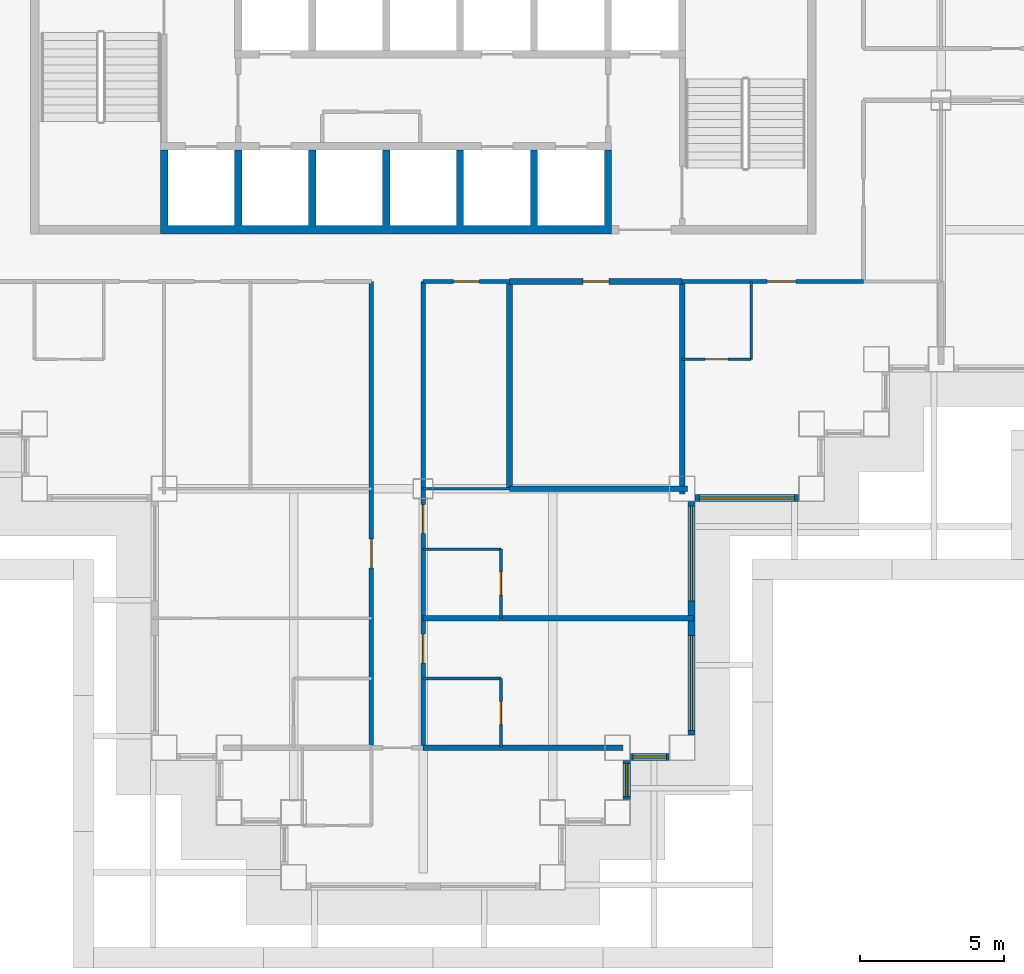
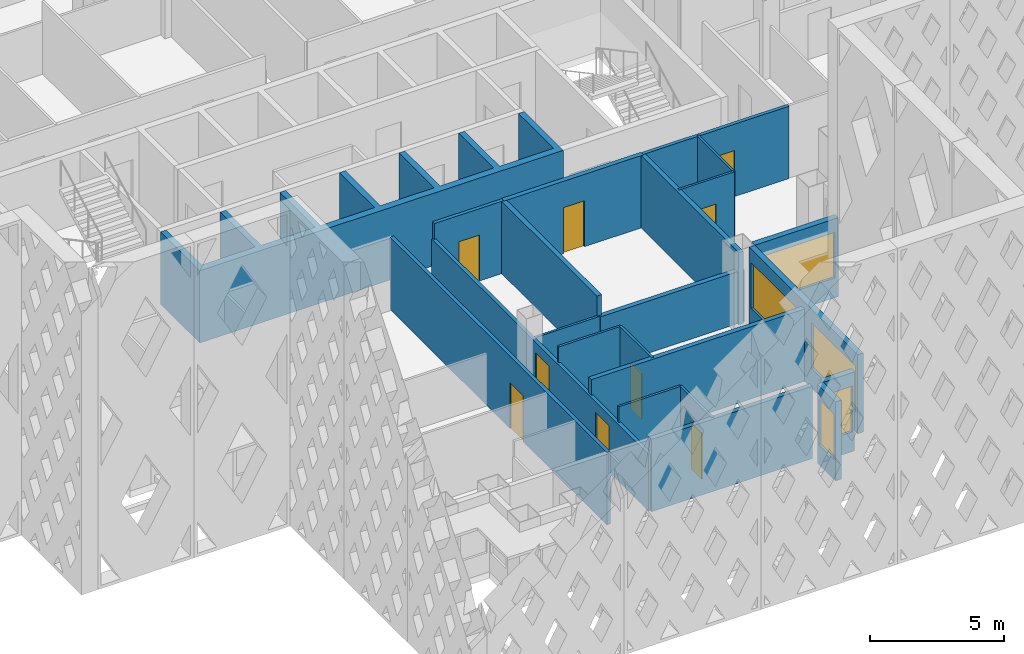
# One storey, part 4 of 21: 22 walls, 9 doors, 5 windows, 14 openings.
"""IFC4 building model written with IfcOpenShell, lengths in metres."""

from ifc_helpers import new_model, si_unit, direction, frame, frame_2d, origin, place, context, subcontext, project, spatial, polyline, rectangle, outline, extrude, material, layer, layer_set, type_object, element, fill, save


model = new_model("IFC4")

# Units and contexts
model_context = context("Model", 3, precision=1e-05, world=origin(), true_north=direction((0.0, 1.0)))
body_context = subcontext(model_context, "Body", "Model", "MODEL_VIEW")
ifc_project = project(units=[si_unit("LENGTHUNIT", "METRE"), si_unit("AREAUNIT", "SQUARE_METRE"), si_unit("VOLUMEUNIT", "CUBIC_METRE"), si_unit("PLANEANGLEUNIT", "RADIAN"), si_unit("MASSUNIT", "GRAM", prefix="KILO")], contexts=[model_context])

# Site, building, storey
site_placement = place(None, origin())
site = spatial("IfcSite", under=ifc_project, at=site_placement, CompositionType="ELEMENT")
building_placement = place(site_placement, origin())
building = spatial("IfcBuilding", under=site, at=building_placement, Name="Caravel Reach Hotel and Residences", CompositionType="ELEMENT")
storey_placement = place(building_placement, frame((0.0, 0.0, 100.800048828125)))
storey = spatial("IfcBuildingStorey", under=building, at=storey_placement, Name="L24", CompositionType="ELEMENT", Elevation=100.800048828125)

# Wall
ifc_material_1 = material(Name="Gypsum board on steel stud", Category="steel")
ifc_layer_1 = layer(ifc_material_1, 0.10009765625)
ifc_layer_set_1 = layer_set([ifc_layer_1], Name="Bathroom pod wall 100 mm")
wall_type_1 = type_object("IfcWallType", Name="Bathroom pod wall 100 mm", PredefinedType="PARTITIONING", material=ifc_layer_set_1)
wall_1_placement = place(storey_placement, frame((31.5, 11.39990234375, 0.0), z_axis=(0.0, 0.0, 1.0), x_axis=(1.0, 0.0, 0.0)))
element("IfcWall", 1, at=wall_1_placement, inside=storey, type_object=wall_type_1, Name="L24 wall w082", PredefinedType="PARTITIONING", context=body_context, shape_type="SweptSolid", body=[
    extrude(rectangle(XDim=2.699951171875, YDim=0.10009765625, at=frame_2d((1.35009765625, 0.0))), origin(), (0.0, 0.0, 1.0), 3.300048828125),
])

# Wall, opening, door
wall_2_placement = place(storey_placement, frame((40.5, 18.0, 0.0), z_axis=(0.0, 0.0, 1.0), x_axis=(1.0, 0.0, 0.0)))
wall_2 = element("IfcWall", 2, at=wall_2_placement, inside=storey, type_object=wall_type_1, Name="L24 wall w084", PredefinedType="PARTITIONING", context=body_context, shape_type="SweptSolid", body=[
    extrude(rectangle(XDim=2.39990234375, YDim=0.10009765625, at=frame_2d((1.199951171875, 0.0))), origin(), (0.0, 0.0, 1.0), 3.300048828125),
])
opening_1_placement = place(wall_2_placement, frame((0.800048828125, 0.0, 0.0)))
opening_1 = element("IfcOpeningElement", 3, at=opening_1_placement, cuts=wall_2, Name="Opening D24-052", PredefinedType="OPENING", context=body_context, shape_type="SweptSolid", body=[
    extrude(rectangle(XDim=0.800048828125, YDim=2.10009765625, at=frame_2d((0.39990234375, 1.050048828125))), frame((0.0, 0.06005859375, 0.0), z_axis=(0.0, -1.0, 0.0), x_axis=(1.0, 0.0, 0.0)), (0.0, 0.0, 1.0), 0.1201171875),
])
ifc_material_2 = material(Name="Timber and steel door leaf", Category="steel")
door_type_1 = type_object("IfcDoorType", Name="Bathroom door 800 x 2100", OperationType="SINGLE_SWING_LEFT", PredefinedType="DOOR", material=ifc_material_2)
door_1_placement = place(opening_1_placement, origin())
door_1 = element("IfcDoor", 4, at=door_1_placement, inside=storey, type_object=door_type_1, Name="door D24-052", OperationType="SINGLE_SWING_LEFT", OverallHeight=2.10009765625, OverallWidth=0.800048828125, PredefinedType="DOOR", context=body_context, shape_type="SweptSolid", body=[
    extrude(rectangle(XDim=0.800048828125, YDim=2.10009765625, at=frame_2d((0.39990234375, 1.050048828125))), frame((0.0, 0.02490234375, 0.0), z_axis=(0.0, -1.0, 0.0), x_axis=(1.0, 0.0, 0.0)), (0.0, 0.0, 1.0), 0.050048828125),
])
fill(opening_1, door_1)

# Wall
wall_3_placement = place(storey_placement, frame((31.5, 6.89990234375, 0.0), z_axis=(0.0, 0.0, 1.0), x_axis=(1.0, 0.0, 0.0)))
element("IfcWall", 5, at=wall_3_placement, inside=storey, type_object=wall_type_1, Name="L24 wall w096", PredefinedType="PARTITIONING", context=body_context, shape_type="SweptSolid", body=[
    extrude(rectangle(XDim=2.699951171875, YDim=0.10009765625, at=frame_2d((1.35009765625, 0.0))), origin(), (0.0, 0.0, 1.0), 3.300048828125),
])

# Wall, opening, door
wall_4_placement = place(storey_placement, frame((34.199951171875, 9.0, 0.0), z_axis=(0.0, 0.0, 1.0), x_axis=(0.0, 1.0, 0.0)))
wall_4 = element("IfcWall", 6, at=wall_4_placement, inside=storey, type_object=wall_type_1, Name="L24 wall w108", PredefinedType="PARTITIONING", context=body_context, shape_type="SweptSolid", body=[
    extrude(rectangle(XDim=2.39990234375, YDim=0.10009765625, at=frame_2d((1.199951171875, 0.0))), origin(), (0.0, 0.0, 1.0), 3.300048828125),
])
opening_2_placement = place(wall_4_placement, frame((0.800048828125, 0.0, 0.0)))
opening_2 = element("IfcOpeningElement", 7, at=opening_2_placement, cuts=wall_4, Name="Opening D24-036", PredefinedType="OPENING", context=body_context, shape_type="SweptSolid", body=[
    extrude(rectangle(XDim=0.800048828125, YDim=2.10009765625, at=frame_2d((0.39990234375, 1.050048828125))), frame((0.0, 0.06005859375, 0.0), z_axis=(0.0, -1.0, 0.0), x_axis=(1.0, 0.0, 0.0)), (0.0, 0.0, 1.0), 0.1201171875),
])
door_2_placement = place(opening_2_placement, origin())
door_2 = element("IfcDoor", 8, at=door_2_placement, inside=storey, type_object=door_type_1, Name="door D24-036", OperationType="SINGLE_SWING_RIGHT", OverallHeight=2.10009765625, OverallWidth=0.800048828125, PredefinedType="DOOR", context=body_context, shape_type="SweptSolid", body=[
    extrude(rectangle(XDim=0.800048828125, YDim=2.10009765625, at=frame_2d((0.39990234375, 1.050048828125))), frame((0.0, 0.02490234375, 0.0), z_axis=(0.0, -1.0, 0.0), x_axis=(1.0, 0.0, 0.0)), (0.0, 0.0, 1.0), 0.050048828125),
])
fill(opening_2, door_2)

wall_5_placement = place(storey_placement, frame((34.199951171875, 4.5, 0.0), z_axis=(0.0, 0.0, 1.0), x_axis=(0.0, 1.0, 0.0)))
wall_5 = element("IfcWall", 9, at=wall_5_placement, inside=storey, type_object=wall_type_1, Name="L24 wall w109", PredefinedType="PARTITIONING", context=body_context, shape_type="SweptSolid", body=[
    extrude(rectangle(XDim=2.39990234375, YDim=0.10009765625, at=frame_2d((1.199951171875, 0.0))), origin(), (0.0, 0.0, 1.0), 3.300048828125),
])
opening_3_placement = place(wall_5_placement, frame((0.800048828125, 0.0, 0.0)))
opening_3 = element("IfcOpeningElement", 10, at=opening_3_placement, cuts=wall_5, Name="Opening D24-038", PredefinedType="OPENING", context=body_context, shape_type="SweptSolid", body=[
    extrude(rectangle(XDim=0.800048828125, YDim=2.10009765625, at=frame_2d((0.39990234375, 1.050048828125))), frame((0.0, 0.06005859375, 0.0), z_axis=(0.0, -1.0, 0.0), x_axis=(1.0, 0.0, 0.0)), (0.0, 0.0, 1.0), 0.1201171875),
])
door_3_placement = place(opening_3_placement, origin())
door_3 = element("IfcDoor", 11, at=door_3_placement, inside=storey, type_object=door_type_1, Name="door D24-038", OperationType="SINGLE_SWING_LEFT", OverallHeight=2.10009765625, OverallWidth=0.800048828125, PredefinedType="DOOR", context=body_context, shape_type="SweptSolid", body=[
    extrude(rectangle(XDim=0.800048828125, YDim=2.10009765625, at=frame_2d((0.39990234375, 1.050048828125))), frame((0.0, 0.02490234375, 0.0), z_axis=(0.0, -1.0, 0.0), x_axis=(1.0, 0.0, 0.0)), (0.0, 0.0, 1.0), 0.050048828125),
])
fill(opening_3, door_3)

# Walls
wall_6_placement = place(storey_placement, frame((42.89990234375, 18.0, 0.0), z_axis=(0.0, 0.0, 1.0), x_axis=(0.0, 1.0, 0.0)))
element("IfcWall", 12, at=wall_6_placement, inside=storey, type_object=wall_type_1, Name="L24 wall w112", PredefinedType="PARTITIONING", context=body_context, shape_type="SweptSolid", body=[
    extrude(rectangle(XDim=2.699951171875, YDim=0.10009765625, at=frame_2d((1.35009765625, 0.0))), origin(), (0.0, 0.0, 1.0), 3.300048828125),
])
ifc_material_3 = material(Name="Autoclaved aerated block wall")
ifc_layer_2 = layer(ifc_material_3, 0.199951171875)
ifc_layer_set_2 = layer_set([ifc_layer_2], Name="Compartment wall 200 mm EI 120")
wall_type_2 = type_object("IfcWallType", Name="Compartment wall 200 mm EI 120", PredefinedType="PARTITIONING", material=ifc_layer_set_2)
wall_7_placement = place(storey_placement, frame((34.5, 13.5, 0.0), z_axis=(0.0, 0.0, 1.0), x_axis=(1.0, 0.0, 0.0)))
element("IfcWall", 13, at=wall_7_placement, inside=storey, type_object=wall_type_2, Name="L24 wall w117", PredefinedType="PARTITIONING", context=body_context, shape_type="SweptSolid", body=[
    extrude(rectangle(XDim=6.18994140625, YDim=0.199951171875, at=frame_2d((3.094970703125, 0.0))), origin(), (0.0, 0.0, 1.0), 2.3798828125),
])

# Wall, opening, door
wall_8_placement = place(storey_placement, frame((34.5, 20.699951171875, 0.0), z_axis=(0.0, 0.0, 1.0), x_axis=(1.0, 0.0, 0.0)))
wall_8 = element("IfcWall", 14, at=wall_8_placement, inside=storey, type_object=wall_type_2, Name="L24 wall w118", PredefinedType="PARTITIONING", context=body_context, shape_type="SweptSolid", body=[
    extrude(rectangle(XDim=6.0, YDim=0.199951171875, at=frame_2d((3.0, 0.0))), origin(), (0.0, 0.0, 1.0), 3.300048828125),
])
opening_4_placement = place(wall_8_placement, frame((2.550048828125, 0.0, 0.0)))
opening_4 = element("IfcOpeningElement", 15, at=opening_4_placement, cuts=wall_8, Name="Opening D24-060", PredefinedType="OPENING", context=body_context, shape_type="SweptSolid", body=[
    extrude(rectangle(XDim=0.89990234375, YDim=2.10009765625, at=frame_2d((0.449951171875, 1.050048828125))), frame((0.0, 0.10986328125, 0.0), z_axis=(0.0, -1.0, 0.0), x_axis=(1.0, 0.0, 0.0)), (0.0, 0.0, 1.0), 0.219970703125),
])
ifc_material_4 = material(Name="Steel fire door leaf", Category="steel")
door_type_2 = type_object("IfcDoorType", Name="Riser door 900 x 2100 EI 60", OperationType="SINGLE_SWING_LEFT", PredefinedType="DOOR", material=ifc_material_4)
door_4_placement = place(opening_4_placement, origin())
door_4 = element("IfcDoor", 16, at=door_4_placement, inside=storey, type_object=door_type_2, Name="door D24-060", OperationType="SINGLE_SWING_LEFT", OverallHeight=2.10009765625, OverallWidth=0.89990234375, PredefinedType="DOOR", context=body_context, shape_type="SweptSolid", body=[
    extrude(rectangle(XDim=0.89990234375, YDim=2.10009765625, at=frame_2d((0.449951171875, 1.050048828125))), frame((0.0, 0.02490234375, 0.0), z_axis=(0.0, -1.0, 0.0), x_axis=(1.0, 0.0, 0.0)), (0.0, 0.0, 1.0), 0.050048828125),
])
fill(opening_4, door_4)

# Walls
wall_9_placement = place(storey_placement, frame((34.5, 13.5, 0.0), z_axis=(0.0, 0.0, 1.0), x_axis=(0.0, 1.0, 0.0)))
element("IfcWall", 17, at=wall_9_placement, inside=storey, type_object=wall_type_2, Name="L24 wall w119", PredefinedType="PARTITIONING", context=body_context, shape_type="SweptSolid", body=[
    extrude(rectangle(XDim=7.199951171875, YDim=0.199951171875, at=frame_2d((3.60009765625, 0.0))), origin(), (0.0, 0.0, 1.0), 3.300048828125),
])
wall_10_placement = place(storey_placement, frame((40.5, 13.31005859375, 0.0), z_axis=(0.0, 0.0, 1.0), x_axis=(0.0, 1.0, 0.0)))
element("IfcWall", 18, at=wall_10_placement, inside=storey, type_object=wall_type_2, Name="L24 wall w120", PredefinedType="PARTITIONING", context=body_context, shape_type="SweptSolid", body=[
    extrude(rectangle(XDim=7.389892578125, YDim=0.199951171875, at=frame_2d((3.69482421875, 0.0))), origin(), (0.0, 0.0, 1.0), 3.300048828125),
])

# Wall, opening, door
ifc_material_5 = material(Name="Gypsum board on steel stud, fire-rated", Category="steel")
ifc_layer_3 = layer(ifc_material_5, 0.14990234375)
ifc_layer_set_3 = layer_set([ifc_layer_3], Name="Corridor wall 150 mm EI 60")
wall_type_3 = type_object("IfcWallType", Name="Corridor wall 150 mm EI 60", PredefinedType="PARTITIONING", material=ifc_layer_set_3)
wall_11_placement = place(storey_placement, frame((40.5, 20.699951171875, 0.0), z_axis=(0.0, 0.0, 1.0), x_axis=(1.0, 0.0, 0.0)))
wall_11 = element("IfcWall", 19, at=wall_11_placement, inside=storey, type_object=wall_type_3, Name="L24 wall w002", PredefinedType="PARTITIONING", context=body_context, shape_type="SweptSolid", body=[
    extrude(rectangle(XDim=6.300048828125, YDim=0.14990234375, at=frame_2d((3.14990234375, 0.0))), origin(), (0.0, 0.0, 1.0), 3.300048828125),
])
opening_5_placement = place(wall_11_placement, frame((2.949951171875, 0.0, 0.0)))
opening_5 = element("IfcOpeningElement", 20, at=opening_5_placement, cuts=wall_11, Name="Opening D24-051", PredefinedType="OPENING", context=body_context, shape_type="SweptSolid", body=[
    extrude(rectangle(XDim=1.0, YDim=2.10009765625, at=frame_2d((0.5, 1.050048828125))), frame((0.0, 0.0849609375, 0.0), z_axis=(0.0, -1.0, 0.0), x_axis=(1.0, 0.0, 0.0)), (0.0, 0.0, 1.0), 0.169921875),
])
ifc_material_6 = material(Name="Steel fire door leaf", Category="steel")
door_type_3 = type_object("IfcDoorType", Name="Guest room door 1000 x 2100 EI 30", OperationType="SINGLE_SWING_LEFT", PredefinedType="DOOR", material=ifc_material_6)
door_5_placement = place(opening_5_placement, origin())
door_5 = element("IfcDoor", 21, at=door_5_placement, inside=storey, type_object=door_type_3, Name="door D24-051", OperationType="SINGLE_SWING_RIGHT", OverallHeight=2.10009765625, OverallWidth=1.0, PredefinedType="DOOR", context=body_context, shape_type="SweptSolid", body=[
    extrude(rectangle(XDim=1.0, YDim=2.10009765625, at=frame_2d((0.5, 1.050048828125))), frame((0.0, 0.02490234375, 0.0), z_axis=(0.0, -1.0, 0.0), x_axis=(1.0, 0.0, 0.0)), (0.0, 0.0, 1.0), 0.050048828125),
])
fill(opening_5, door_5)

wall_12_placement = place(storey_placement, frame((31.5, 20.699951171875, 0.0), z_axis=(0.0, 0.0, 1.0), x_axis=(1.0, 0.0, 0.0)))
wall_12 = element("IfcWall", 22, at=wall_12_placement, inside=storey, type_object=wall_type_3, Name="L24 wall w005", PredefinedType="PARTITIONING", context=body_context, shape_type="SweptSolid", body=[
    extrude(rectangle(XDim=3.0, YDim=0.14990234375, at=frame_2d((1.5, 0.0))), origin(), (0.0, 0.0, 1.0), 3.300048828125),
])
opening_6_placement = place(wall_12_placement, frame((1.050048828125, 0.0, 0.0)))
opening_6 = element("IfcOpeningElement", 23, at=opening_6_placement, cuts=wall_12, Name="Opening D24-059", PredefinedType="OPENING", context=body_context, shape_type="SweptSolid", body=[
    extrude(rectangle(XDim=0.89990234375, YDim=2.10009765625, at=frame_2d((0.449951171875, 1.050048828125))), frame((0.0, 0.0849609375, 0.0), z_axis=(0.0, -1.0, 0.0), x_axis=(1.0, 0.0, 0.0)), (0.0, 0.0, 1.0), 0.169921875),
])
ifc_material_7 = material(Name="Timber and steel door leaf", Category="steel")
door_type_4 = type_object("IfcDoorType", Name="Door 900 x 2100 timber", OperationType="SINGLE_SWING_LEFT", PredefinedType="DOOR", material=ifc_material_7)
door_6_placement = place(opening_6_placement, origin())
door_6 = element("IfcDoor", 24, at=door_6_placement, inside=storey, type_object=door_type_4, Name="door D24-059", OperationType="SINGLE_SWING_LEFT", OverallHeight=2.10009765625, OverallWidth=0.89990234375, PredefinedType="DOOR", context=body_context, shape_type="SweptSolid", body=[
    extrude(rectangle(XDim=0.89990234375, YDim=2.10009765625, at=frame_2d((0.449951171875, 1.050048828125))), frame((0.0, 0.02490234375, 0.0), z_axis=(0.0, -1.0, 0.0), x_axis=(1.0, 0.0, 0.0)), (0.0, 0.0, 1.0), 0.050048828125),
])
fill(opening_6, door_6)

wall_13_placement = place(storey_placement, frame((29.699951171875, 4.5, 0.0), z_axis=(0.0, 0.0, 1.0), x_axis=(0.0, 1.0, 0.0)))
wall_13 = element("IfcWall", 25, at=wall_13_placement, inside=storey, type_object=wall_type_3, Name="L24 wall w029", PredefinedType="PARTITIONING", context=body_context, shape_type="SweptSolid", body=[
    extrude(rectangle(XDim=16.199951171875, YDim=0.14990234375, at=frame_2d((8.10009765625, 0.0))), origin(), (0.0, 0.0, 1.0), 3.300048828125),
])
opening_7_placement = place(wall_13_placement, frame((6.25, 0.0, 0.0)))
opening_7 = element("IfcOpeningElement", 26, at=opening_7_placement, cuts=wall_13, Name="Opening D24-032", PredefinedType="OPENING", context=body_context, shape_type="SweptSolid", body=[
    extrude(rectangle(XDim=1.0, YDim=2.10009765625, at=frame_2d((0.5, 1.050048828125))), frame((0.0, 0.0849609375, 0.0), z_axis=(0.0, -1.0, 0.0), x_axis=(1.0, 0.0, 0.0)), (0.0, 0.0, 1.0), 0.169921875),
])
door_7_placement = place(opening_7_placement, origin())
door_7 = element("IfcDoor", 27, at=door_7_placement, inside=storey, type_object=door_type_3, Name="door D24-032", OperationType="SINGLE_SWING_RIGHT", OverallHeight=2.10009765625, OverallWidth=1.0, PredefinedType="DOOR", context=body_context, shape_type="SweptSolid", body=[
    extrude(rectangle(XDim=1.0, YDim=2.10009765625, at=frame_2d((0.5, 1.050048828125))), frame((0.0, 0.02490234375, 0.0), z_axis=(0.0, -1.0, 0.0), x_axis=(1.0, 0.0, 0.0)), (0.0, 0.0, 1.0), 0.050048828125),
])
fill(opening_7, door_7)

# Wall, openings, doors
wall_14_placement = place(storey_placement, frame((31.5, 4.5, 0.0), z_axis=(0.0, 0.0, 1.0), x_axis=(0.0, 1.0, 0.0)))
wall_14 = element("IfcWall", 28, at=wall_14_placement, inside=storey, type_object=wall_type_3, Name="L24 wall w033", PredefinedType="PARTITIONING", context=body_context, shape_type="SweptSolid", body=[
    extrude(rectangle(XDim=16.199951171875, YDim=0.14990234375, at=frame_2d((8.10009765625, 0.0))), origin(), (0.0, 0.0, 1.0), 2.579833984375),
])
opening_8_placement = place(wall_14_placement, frame((7.449951171875, 0.0, 0.0)))
opening_8 = element("IfcOpeningElement", 29, at=opening_8_placement, cuts=wall_14, Name="Opening D24-035", PredefinedType="OPENING", context=body_context, shape_type="SweptSolid", body=[
    extrude(rectangle(XDim=1.0, YDim=2.10009765625, at=frame_2d((0.5, 1.050048828125))), frame((0.0, 0.0849609375, 0.0), z_axis=(0.0, -1.0, 0.0), x_axis=(1.0, 0.0, 0.0)), (0.0, 0.0, 1.0), 0.169921875),
])
opening_9_placement = place(wall_14_placement, frame((2.949951171875, 0.0, 0.0)))
opening_9 = element("IfcOpeningElement", 30, at=opening_9_placement, cuts=wall_14, Name="Opening D24-037", PredefinedType="OPENING", context=body_context, shape_type="SweptSolid", body=[
    extrude(rectangle(XDim=1.0, YDim=2.10009765625, at=frame_2d((0.5, 1.050048828125))), frame((0.0, 0.0849609375, 0.0), z_axis=(0.0, -1.0, 0.0), x_axis=(1.0, 0.0, 0.0)), (0.0, 0.0, 1.0), 0.169921875),
])
door_8_placement = place(opening_8_placement, origin())
door_8 = element("IfcDoor", 31, at=door_8_placement, inside=storey, type_object=door_type_3, Name="door D24-035", OperationType="SINGLE_SWING_RIGHT", OverallHeight=2.10009765625, OverallWidth=1.0, PredefinedType="DOOR", context=body_context, shape_type="SweptSolid", body=[
    extrude(rectangle(XDim=1.0, YDim=2.10009765625, at=frame_2d((0.5, 1.050048828125))), frame((0.0, 0.02490234375, 0.0), z_axis=(0.0, -1.0, 0.0), x_axis=(1.0, 0.0, 0.0)), (0.0, 0.0, 1.0), 0.050048828125),
])
fill(opening_8, door_8)
door_9_placement = place(opening_9_placement, origin())
door_9 = element("IfcDoor", 32, at=door_9_placement, inside=storey, type_object=door_type_3, Name="door D24-037", OperationType="SINGLE_SWING_RIGHT", OverallHeight=2.10009765625, OverallWidth=1.0, PredefinedType="DOOR", context=body_context, shape_type="SweptSolid", body=[
    extrude(rectangle(XDim=1.0, YDim=2.10009765625, at=frame_2d((0.5, 1.050048828125))), frame((0.0, 0.02490234375, 0.0), z_axis=(0.0, -1.0, 0.0), x_axis=(1.0, 0.0, 0.0)), (0.0, 0.0, 1.0), 0.050048828125),
])
fill(opening_9, door_9)

# Wall, opening, window
ifc_material_8 = material(Name="Insulated rainscreen wall, aluminium cladding", Category="aluminium")
ifc_layer_4 = layer(ifc_material_8, 0.25)
ifc_layer_set_4 = layer_set([ifc_layer_4], Name="EW1 Tower rainscreen wall")
wall_type_4 = type_object("IfcWallType", Name="EW1 Tower rainscreen wall", PredefinedType="SOLIDWALL", material=ifc_layer_set_4)
wall_15_placement = place(storey_placement, frame((38.574951171875, 2.699951171875, 0.0), z_axis=(0.0, 0.0, 1.0), x_axis=(0.0, 1.0, 0.0)))
wall_15 = element("IfcWall", 33, at=wall_15_placement, inside=storey, type_object=wall_type_4, Name="External wall L24 E8.1", PredefinedType="SOLIDWALL", context=body_context, shape_type="SweptSolid", body=[
    extrude(rectangle(XDim=1.35009765625, YDim=0.25, at=frame_2d((0.675048828125, 0.0))), origin(), (0.0, 0.0, 1.0), 3.599853515625),
])
opening_10_placement = place(wall_15_placement, frame((0.10009765625, 0.0, 0.89990234375)))
opening_10 = element("IfcOpeningElement", 34, at=opening_10_placement, cuts=wall_15, Name="Opening WN8", PredefinedType="OPENING", context=body_context, shape_type="SweptSolid", body=[
    extrude(rectangle(XDim=1.14990234375, YDim=2.080078125, at=frame_2d((0.574951171875, 1.0400390625))), frame((0.0, 0.135009765625, 0.0), z_axis=(0.0, -1.0, 0.0), x_axis=(1.0, 0.0, 0.0)), (0.0, 0.0, 1.0), 0.27001953125),
])
ifc_material_9 = material(Name="Dark low-e glazing in black aluminium frame", Category="aluminium")
window_type_1 = type_object("IfcWindowType", Name="Hotel suite corner window 1150 x 2080", PartitioningType="SINGLE_PANEL", PredefinedType="WINDOW", material=ifc_material_9)
window_1_placement = place(opening_10_placement, origin())
window_1 = element("IfcWindow", 35, at=window_1_placement, inside=storey, type_object=window_type_1, Name="Window L24 E8.1.1", OverallHeight=2.080078125, OverallWidth=1.14990234375, PartitioningType="SINGLE_PANEL", PredefinedType="WINDOW", context=body_context, shape_type="SweptSolid", body=[
    extrude(rectangle(XDim=1.14990234375, YDim=2.080078125, at=frame_2d((0.574951171875, 1.0400390625))), frame((0.0, 0.030029296875, 0.0), z_axis=(0.0, -1.0, 0.0), x_axis=(1.0, 0.0, 0.0)), (0.0, 0.0, 1.0), 0.06005859375),
])
fill(opening_10, window_1)

wall_16_placement = place(storey_placement, frame((38.699951171875, 4.175048828125, 0.0), z_axis=(0.0, 0.0, 1.0), x_axis=(1.0, 0.0, 0.0)))
wall_16 = element("IfcWall", 36, at=wall_16_placement, inside=storey, type_object=wall_type_4, Name="External wall L24 S9.1", PredefinedType="SOLIDWALL", context=body_context, shape_type="SweptSolid", body=[
    extrude(rectangle(XDim=1.35009765625, YDim=0.25, at=frame_2d((0.675048828125, 0.0))), origin(), (0.0, 0.0, 1.0), 3.599853515625),
])
opening_11_placement = place(wall_16_placement, frame((0.10009765625, 0.0, 0.89990234375)))
opening_11 = element("IfcOpeningElement", 37, at=opening_11_placement, cuts=wall_16, Name="Opening WN8", PredefinedType="OPENING", context=body_context, shape_type="SweptSolid", body=[
    extrude(rectangle(XDim=1.14990234375, YDim=2.080078125, at=frame_2d((0.574951171875, 1.0400390625))), frame((0.0, 0.135009765625, 0.0), z_axis=(0.0, -1.0, 0.0), x_axis=(1.0, 0.0, 0.0)), (0.0, 0.0, 1.0), 0.27001953125),
])
window_2_placement = place(opening_11_placement, origin())
window_2 = element("IfcWindow", 38, at=window_2_placement, inside=storey, type_object=window_type_1, Name="Window L24 S9.1.1", OverallHeight=2.080078125, OverallWidth=1.14990234375, PartitioningType="SINGLE_PANEL", PredefinedType="WINDOW", context=body_context, shape_type="SweptSolid", body=[
    extrude(rectangle(XDim=1.14990234375, YDim=2.080078125, at=frame_2d((0.574951171875, 1.0400390625))), frame((0.0, 0.030029296875, 0.0), z_axis=(0.0, -1.0, 0.0), x_axis=(1.0, 0.0, 0.0)), (0.0, 0.0, 1.0), 0.06005859375),
])
fill(opening_11, window_2)

# Wall, openings, windows
wall_17_placement = place(storey_placement, frame((40.824951171875, 4.949951171875, 0.0), z_axis=(0.0, 0.0, 1.0), x_axis=(0.0, 1.0, 0.0)))
wall_17 = element("IfcWall", 39, at=wall_17_placement, inside=storey, type_object=wall_type_4, Name="External wall L24 E10.1", PredefinedType="SOLIDWALL", context=body_context, shape_type="SweptSolid", body=[
    extrude(rectangle(XDim=8.10009765625, YDim=0.25, at=frame_2d((4.050048828125, 0.0))), origin(), (0.0, 0.0, 1.0), 3.599853515625),
])
opening_12_placement = place(wall_17_placement, frame((0.14990234375, 0.0, 0.89990234375)))
opening_12 = element("IfcOpeningElement", 40, at=opening_12_placement, cuts=wall_17, Name="Opening WN4", PredefinedType="OPENING", context=body_context, shape_type="SweptSolid", body=[
    extrude(rectangle(XDim=3.300048828125, YDim=2.080078125, at=frame_2d((1.64990234375, 1.0400390625))), frame((0.0, 0.135009765625, 0.0), z_axis=(0.0, -1.0, 0.0), x_axis=(1.0, 0.0, 0.0)), (0.0, 0.0, 1.0), 0.27001953125),
])
opening_13_placement = place(wall_17_placement, frame((4.64990234375, 0.0, 0.89990234375)))
opening_13 = element("IfcOpeningElement", 41, at=opening_13_placement, cuts=wall_17, Name="Opening WN4", PredefinedType="OPENING", context=body_context, shape_type="SweptSolid", body=[
    extrude(rectangle(XDim=3.300048828125, YDim=2.080078125, at=frame_2d((1.64990234375, 1.0400390625))), frame((0.0, 0.135009765625, 0.0), z_axis=(0.0, -1.0, 0.0), x_axis=(1.0, 0.0, 0.0)), (0.0, 0.0, 1.0), 0.27001953125),
])
ifc_material_10 = material(Name="Dark low-e glazing in black aluminium frame", Category="aluminium")
window_type_2 = type_object("IfcWindowType", Name="Hotel guest room window 3300 x 2080", PartitioningType="SINGLE_PANEL", PredefinedType="WINDOW", material=ifc_material_10)
window_3_placement = place(opening_12_placement, origin())
window_3 = element("IfcWindow", 42, at=window_3_placement, inside=storey, type_object=window_type_2, Name="Window L24 E10.1.1", OverallHeight=2.080078125, OverallWidth=3.300048828125, PartitioningType="SINGLE_PANEL", PredefinedType="WINDOW", context=body_context, shape_type="SweptSolid", body=[
    extrude(rectangle(XDim=3.300048828125, YDim=2.080078125, at=frame_2d((1.64990234375, 1.0400390625))), frame((0.0, 0.030029296875, 0.0), z_axis=(0.0, -1.0, 0.0), x_axis=(1.0, 0.0, 0.0)), (0.0, 0.0, 1.0), 0.06005859375),
])
fill(opening_12, window_3)
window_4_placement = place(opening_13_placement, origin())
window_4 = element("IfcWindow", 43, at=window_4_placement, inside=storey, type_object=window_type_2, Name="Window L24 E10.1.2", OverallHeight=2.080078125, OverallWidth=3.300048828125, PartitioningType="SINGLE_PANEL", PredefinedType="WINDOW", context=body_context, shape_type="SweptSolid", body=[
    extrude(rectangle(XDim=3.300048828125, YDim=2.080078125, at=frame_2d((1.64990234375, 1.0400390625))), frame((0.0, 0.030029296875, 0.0), z_axis=(0.0, -1.0, 0.0), x_axis=(1.0, 0.0, 0.0)), (0.0, 0.0, 1.0), 0.06005859375),
])
fill(opening_13, window_4)

# Wall, opening, window
wall_18_placement = place(storey_placement, frame((40.949951171875, 13.175048828125, 0.0), z_axis=(0.0, 0.0, 1.0), x_axis=(1.0, 0.0, 0.0)))
wall_18 = element("IfcWall", 44, at=wall_18_placement, inside=storey, type_object=wall_type_4, Name="External wall L24 S11.1", PredefinedType="SOLIDWALL", context=body_context, shape_type="SweptSolid", body=[
    extrude(rectangle(XDim=3.60009765625, YDim=0.25, at=frame_2d((1.800048828125, 0.0))), origin(), (0.0, 0.0, 1.0), 3.599853515625),
])
opening_14_placement = place(wall_18_placement, frame((0.14990234375, 0.0, 0.89990234375)))
opening_14 = element("IfcOpeningElement", 45, at=opening_14_placement, cuts=wall_18, Name="Opening WN4", PredefinedType="OPENING", context=body_context, shape_type="SweptSolid", body=[
    extrude(rectangle(XDim=3.300048828125, YDim=2.080078125, at=frame_2d((1.64990234375, 1.0400390625))), frame((0.0, 0.135009765625, 0.0), z_axis=(0.0, -1.0, 0.0), x_axis=(1.0, 0.0, 0.0)), (0.0, 0.0, 1.0), 0.27001953125),
])
window_5_placement = place(opening_14_placement, origin())
window_5 = element("IfcWindow", 46, at=window_5_placement, inside=storey, type_object=window_type_2, Name="Window L24 S11.1.1", OverallHeight=2.080078125, OverallWidth=3.300048828125, PartitioningType="SINGLE_PANEL", PredefinedType="WINDOW", context=body_context, shape_type="SweptSolid", body=[
    extrude(rectangle(XDim=3.300048828125, YDim=2.080078125, at=frame_2d((1.64990234375, 1.0400390625))), frame((0.0, 0.030029296875, 0.0), z_axis=(0.0, -1.0, 0.0), x_axis=(1.0, 0.0, 0.0)), (0.0, 0.0, 1.0), 0.06005859375),
])
fill(opening_14, window_5)

# Walls
ifc_material_11 = material(Name="Gypsum board on steel stud", Category="steel")
ifc_layer_5 = layer(ifc_material_11, 0.10009765625)
ifc_layer_set_5 = layer_set([ifc_layer_5], Name="Partition 100 mm")
wall_type_5 = type_object("IfcWallType", Name="Partition 100 mm", PredefinedType="PARTITIONING", material=ifc_layer_set_5)
wall_19_placement = place(storey_placement, frame((31.5, 13.5, 0.0), z_axis=(0.0, 0.0, 1.0), x_axis=(1.0, 0.0, 0.0)))
element("IfcWall", 47, at=wall_19_placement, inside=storey, type_object=wall_type_5, Name="L24 wall w042", PredefinedType="PARTITIONING", context=body_context, shape_type="SweptSolid", body=[
    extrude(rectangle(XDim=3.0, YDim=0.10009765625, at=frame_2d((1.5, 0.0))), origin(), (0.0, 0.0, 1.0), 2.3798828125),
])
ifc_material_12 = material(Name="Autoclaved aerated block wall")
ifc_layer_6 = layer(ifc_material_12, 0.199951171875)
ifc_layer_set_6 = layer_set([ifc_layer_6], Name="Party wall 200 mm EI 60")
wall_type_6 = type_object("IfcWallType", Name="Party wall 200 mm EI 60", PredefinedType="PARTITIONING", material=ifc_layer_set_6)
wall_20_placement = place(storey_placement, frame((31.5, 4.5, 0.0), z_axis=(0.0, 0.0, 1.0), x_axis=(1.0, 0.0, 0.0)))
element("IfcWall", 48, at=wall_20_placement, inside=storey, type_object=wall_type_6, Name="L24 wall w071", PredefinedType="PARTITIONING", context=body_context, shape_type="SweptSolid", body=[
    extrude(rectangle(XDim=6.93994140625, YDim=0.199951171875, at=frame_2d((3.469970703125, 0.0))), origin(), (0.0, 0.0, 1.0), 3.300048828125),
])
wall_21_placement = place(storey_placement, frame((31.5, 9.0, 0.0), z_axis=(0.0, 0.0, 1.0), x_axis=(1.0, 0.0, 0.0)))
element("IfcWall", 49, at=wall_21_placement, inside=storey, type_object=wall_type_6, Name="L24 wall w073", PredefinedType="PARTITIONING", context=body_context, shape_type="SweptSolid", body=[
    extrude(rectangle(XDim=9.389892578125, YDim=0.199951171875, at=frame_2d((4.69482421875, 0.0))), origin(), (0.0, 0.0, 1.0), 3.300048828125),
])
ifc_material_13 = material(Name="Concrete C60", Category="concrete")
ifc_layer_7 = layer(ifc_material_13, 0.25)
ifc_layer_set_7 = layer_set([ifc_layer_7], Name="Shaft wall 250 mm EI 120")
wall_type_7 = type_object("IfcWallType", Name="Shaft wall 250 mm EI 120", PredefinedType="SHEAR", material=ifc_layer_set_7)
wall_22_placement = place(storey_placement, origin())
element("IfcWall", 50, at=wall_22_placement, inside=storey, type_object=wall_type_7, Name="L24 lift shaft wall S1", PredefinedType="SHEAR", context=body_context, shape_type="SweptSolid", body=[
    extrude(outline(polyline([(22.375, 22.35009765625), (38.053466796875, 22.35009765625), (38.053466796875, 25.27490234375), (37.803466796875, 25.27490234375), (37.803466796875, 22.64990234375), (35.482177734375, 22.64990234375), (35.482177734375, 25.27490234375), (35.232177734375, 25.27490234375), (35.232177734375, 22.64990234375), (32.91064453125, 22.64990234375), (32.91064453125, 25.27490234375), (32.66064453125, 25.27490234375), (32.66064453125, 22.64990234375), (30.33935546875, 22.64990234375), (30.33935546875, 25.27490234375), (30.08935546875, 25.27490234375), (30.08935546875, 22.64990234375), (27.767822265625, 22.64990234375), (27.767822265625, 25.27490234375), (27.517822265625, 25.27490234375), (27.517822265625, 22.64990234375), (25.196533203125, 22.64990234375), (25.196533203125, 25.27490234375), (24.946533203125, 25.27490234375), (24.946533203125, 22.64990234375), (22.625, 22.64990234375), (22.625, 25.27490234375), (22.375, 25.27490234375), (22.375, 22.35009765625)])), origin(), (0.0, 0.0, 1.0), 3.300048828125),
])

save(model, "model.ifc")
